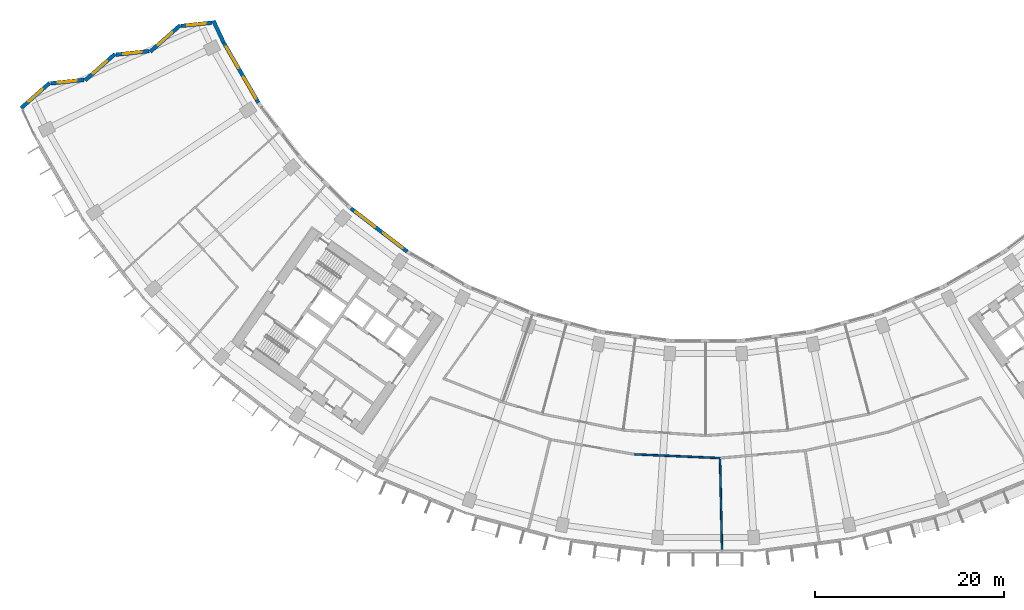
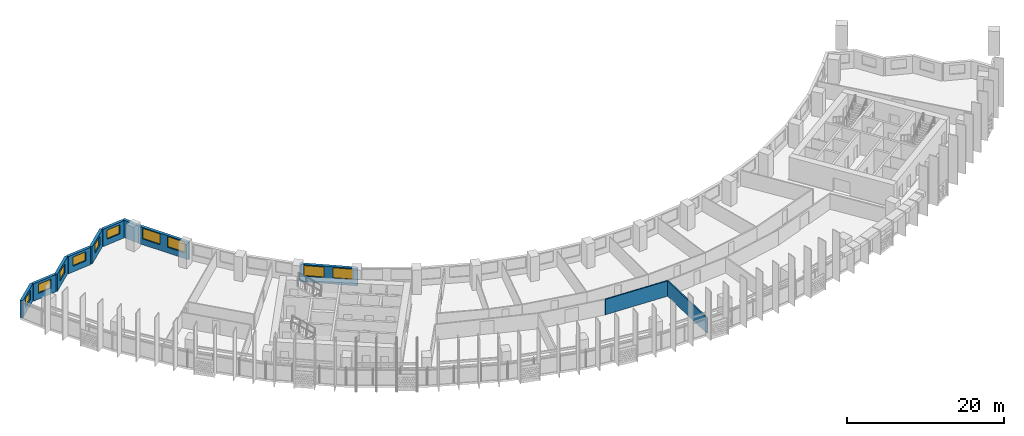
# One storey, part 5 of 29: 11 walls, 10 windows, 10 openings.
"""IFC4 building model written with IfcOpenShell, lengths in metres."""

from ifc_helpers import new_model, si_unit, direction, frame, frame_2d, origin, place, context, subcontext, project, spatial, rectangle, extrude, material, layer, layer_set, type_object, element, fill, save


model = new_model("IFC4")

# Units and contexts
model_context = context("Model", 3, precision=1e-05, world=origin(), true_north=direction((0.0, 1.0)))
body_context = subcontext(model_context, "Body", "Model", "MODEL_VIEW")
ifc_project = project(units=[si_unit("LENGTHUNIT", "METRE"), si_unit("AREAUNIT", "SQUARE_METRE"), si_unit("VOLUMEUNIT", "CUBIC_METRE"), si_unit("PLANEANGLEUNIT", "RADIAN"), si_unit("MASSUNIT", "GRAM", prefix="KILO")], contexts=[model_context])

# Site, building, storey
site_placement = place(None, origin())
site = spatial("IfcSite", under=ifc_project, at=site_placement, CompositionType="ELEMENT")
building_placement = place(site_placement, origin())
building = spatial("IfcBuilding", under=site, at=building_placement, Name="Qamariyya Broadcast Tower", CompositionType="ELEMENT")
storey_placement = place(building_placement, frame((0.0, 0.0, 132.89990234375)))
storey = spatial("IfcBuildingStorey", under=building, at=storey_placement, Name="L30", CompositionType="ELEMENT", Elevation=132.89990234375)

# Walls
ifc_material_1 = material(Name="Gypsum board partition")
ifc_layer_1 = layer(ifc_material_1, 0.179931640625)
ifc_layer_set_1 = layer_set([ifc_layer_1], Name="Studio acoustic partition 180 EI 60")
wall_type_1 = type_object("IfcWallType", Name="Studio acoustic partition 180 EI 60", PredefinedType="PARTITIONING", material=ifc_layer_set_1)
wall_1_placement = place(storey_placement, frame((-7.522705078125, -68.789306640625, 0.0), z_axis=(0.0, 0.0, 1.0), x_axis=(0.999048962102, -0.043602423354, 0.0)))
element("IfcWall", 1, at=wall_1_placement, inside=storey, type_object=wall_type_1, Name="Partition L30-019", PredefinedType="PARTITIONING", context=body_context, shape_type="SweptSolid", body=[
    extrude(rectangle(XDim=9.042724609375, YDim=0.179931640625, at=frame_2d((4.521484375, 0.0))), origin(), (0.0, 0.0, 1.0), 2.400146484375),
])
wall_2_placement = place(storey_placement, frame((1.724365234375, -78.93017578125, 0.0), z_axis=(0.0, 0.0, 1.0), x_axis=(-0.021838346282, 0.999761514878, 0.0)))
element("IfcWall", 2, at=wall_2_placement, inside=storey, type_object=wall_type_1, Name="Partition L30-024", PredefinedType="PARTITIONING", context=body_context, shape_type="SweptSolid", body=[
    extrude(rectangle(XDim=9.658935546875, YDim=0.179931640625, at=frame_2d((4.82958984375, 0.0))), origin(), (0.0, 0.0, 1.0), 2.400146484375),
])

# Wall, opening, window
ifc_material_2 = material(Name="Terracotta", Category="masonry")
ifc_layer_2 = layer(ifc_material_2, 0.39990234375)
ifc_layer_set_2 = layer_set([ifc_layer_2], Name="Terracotta clad wall 400")
wall_type_2 = type_object("IfcWallType", Name="Terracotta clad wall 400", PredefinedType="SOLIDWALL", material=ifc_layer_set_2)
wall_3_placement = place(storey_placement, frame((-52.25390625, -23.10888671875, 0.0), z_axis=(0.0, 0.0, 1.0), x_axis=(-0.994406582789, -0.105619828185, 0.0)))
wall_3 = element("IfcWall", 3, at=wall_3_placement, inside=storey, type_object=wall_type_2, Name="e-wl-L30-capW0", PredefinedType="SOLIDWALL", context=body_context, shape_type="SweptSolid", body=[
    extrude(rectangle(XDim=3.275390625, YDim=0.39990234375, at=frame_2d((1.6376953125, 0.0))), origin(), (0.0, 0.0, 1.0), 2.7001953125),
])
opening_1_placement = place(wall_3_placement, frame((0.6376953125, 0.0, 0.89990234375)))
opening_1 = element("IfcOpeningElement", 4, at=opening_1_placement, cuts=wall_3, Name="Opening W4", PredefinedType="OPENING", context=body_context, shape_type="SweptSolid", body=[
    extrude(rectangle(XDim=2.0, YDim=1.425048828125, at=frame_2d((1.0, 0.71240234375))), frame((0.0, 0.2099609375, 0.0), z_axis=(0.0, -1.0, 0.0), x_axis=(1.0, 0.0, 0.0)), (0.0, 0.0, 1.0), 0.419921875),
])
ifc_material_3 = material(Name="Clear low-e double glazed unit in aluminium frame", Category="aluminium")
window_type_1 = type_object("IfcWindowType", Name="Horn bay window 2000 x 1425", PartitioningType="SINGLE_PANEL", PredefinedType="WINDOW", material=ifc_material_3)
window_1_placement = place(opening_1_placement, origin())
window_1 = element("IfcWindow", 5, at=window_1_placement, inside=storey, type_object=window_type_1, Name="e-w-L30-capW0", OverallHeight=1.425048828125, OverallWidth=2.0, PartitioningType="SINGLE_PANEL", PredefinedType="WINDOW", context=body_context, shape_type="SweptSolid", body=[
    extrude(rectangle(XDim=2.0, YDim=1.425048828125, at=frame_2d((1.0, 0.71240234375))), frame((0.0, 0.030029296875, 0.0), z_axis=(0.0, -1.0, 0.0), x_axis=(1.0, 0.0, 0.0)), (0.0, 0.0, 1.0), 0.06005859375),
])
fill(opening_1, window_1)

wall_4_placement = place(storey_placement, frame((-55.6328125, -23.40087890625, 0.0), z_axis=(0.0, 0.0, 1.0), x_axis=(-0.750065415185, -0.661363646524, 0.0)))
wall_4 = element("IfcWall", 6, at=wall_4_placement, inside=storey, type_object=wall_type_2, Name="e-wl-L30-capW1", PredefinedType="SOLIDWALL", context=body_context, shape_type="SweptSolid", body=[
    extrude(rectangle(XDim=4.194580078125, YDim=0.39990234375, at=frame_2d((2.09716796875, 0.0))), origin(), (0.0, 0.0, 1.0), 2.7001953125),
])
opening_2_placement = place(wall_4_placement, frame((1.09716796875, 0.0, 0.89990234375)))
opening_2 = element("IfcOpeningElement", 7, at=opening_2_placement, cuts=wall_4, Name="Opening W4", PredefinedType="OPENING", context=body_context, shape_type="SweptSolid", body=[
    extrude(rectangle(XDim=2.0, YDim=1.425048828125, at=frame_2d((1.0, 0.71240234375))), frame((0.0, 0.2099609375, 0.0), z_axis=(0.0, -1.0, 0.0), x_axis=(1.0, 0.0, 0.0)), (0.0, 0.0, 1.0), 0.419921875),
])
window_2_placement = place(opening_2_placement, origin())
window_2 = element("IfcWindow", 8, at=window_2_placement, inside=storey, type_object=window_type_1, Name="e-w-L30-capW1", OverallHeight=1.425048828125, OverallWidth=2.0, PartitioningType="SINGLE_PANEL", PredefinedType="WINDOW", context=body_context, shape_type="SweptSolid", body=[
    extrude(rectangle(XDim=2.0, YDim=1.425048828125, at=frame_2d((1.0, 0.71240234375))), frame((0.0, 0.030029296875, 0.0), z_axis=(0.0, -1.0, 0.0), x_axis=(1.0, 0.0, 0.0)), (0.0, 0.0, 1.0), 0.06005859375),
])
fill(opening_2, window_2)

wall_5_placement = place(storey_placement, frame((-58.900634765625, -26.12109375, 0.0), z_axis=(0.0, 0.0, 1.0), x_axis=(-0.99439867511, -0.105694252157, 0.0)))
wall_5 = element("IfcWall", 9, at=wall_5_placement, inside=storey, type_object=wall_type_2, Name="e-wl-L30-capW2", PredefinedType="SOLIDWALL", context=body_context, shape_type="SweptSolid", body=[
    extrude(rectangle(XDim=3.52490234375, YDim=0.39990234375, at=frame_2d((1.762451171875, 0.0))), origin(), (0.0, 0.0, 1.0), 2.7001953125),
])
opening_3_placement = place(wall_5_placement, frame((0.762451171875, 0.0, 0.89990234375)))
opening_3 = element("IfcOpeningElement", 10, at=opening_3_placement, cuts=wall_5, Name="Opening W4", PredefinedType="OPENING", context=body_context, shape_type="SweptSolid", body=[
    extrude(rectangle(XDim=2.0, YDim=1.425048828125, at=frame_2d((1.0, 0.71240234375))), frame((0.0, 0.2099609375, 0.0), z_axis=(0.0, -1.0, 0.0), x_axis=(1.0, 0.0, 0.0)), (0.0, 0.0, 1.0), 0.419921875),
])
window_3_placement = place(opening_3_placement, origin())
window_3 = element("IfcWindow", 11, at=window_3_placement, inside=storey, type_object=window_type_1, Name="e-w-L30-capW2", OverallHeight=1.425048828125, OverallWidth=2.0, PartitioningType="SINGLE_PANEL", PredefinedType="WINDOW", context=body_context, shape_type="SweptSolid", body=[
    extrude(rectangle(XDim=2.0, YDim=1.425048828125, at=frame_2d((1.0, 0.71240234375))), frame((0.0, 0.030029296875, 0.0), z_axis=(0.0, -1.0, 0.0), x_axis=(1.0, 0.0, 0.0)), (0.0, 0.0, 1.0), 0.06005859375),
])
fill(opening_3, window_3)

wall_6_placement = place(storey_placement, frame((-62.52734375, -26.439697265625, 0.0), z_axis=(0.0, 0.0, 1.0), x_axis=(-0.749995844737, -0.661442539362, 0.0)))
wall_6 = element("IfcWall", 12, at=wall_6_placement, inside=storey, type_object=wall_type_2, Name="e-wl-L30-capW3", PredefinedType="SOLIDWALL", context=body_context, shape_type="SweptSolid", body=[
    extrude(rectangle(XDim=4.193359375, YDim=0.39990234375, at=frame_2d((2.0966796875, 0.0))), origin(), (0.0, 0.0, 1.0), 2.7001953125),
])
opening_4_placement = place(wall_6_placement, frame((1.0966796875, 0.0, 0.89990234375)))
opening_4 = element("IfcOpeningElement", 13, at=opening_4_placement, cuts=wall_6, Name="Opening W4", PredefinedType="OPENING", context=body_context, shape_type="SweptSolid", body=[
    extrude(rectangle(XDim=2.0, YDim=1.425048828125, at=frame_2d((1.0, 0.71240234375))), frame((0.0, 0.2099609375, 0.0), z_axis=(0.0, -1.0, 0.0), x_axis=(1.0, 0.0, 0.0)), (0.0, 0.0, 1.0), 0.419921875),
])
window_4_placement = place(opening_4_placement, origin())
window_4 = element("IfcWindow", 14, at=window_4_placement, inside=storey, type_object=window_type_1, Name="e-w-L30-capW3", OverallHeight=1.425048828125, OverallWidth=2.0, PartitioningType="SINGLE_PANEL", PredefinedType="WINDOW", context=body_context, shape_type="SweptSolid", body=[
    extrude(rectangle(XDim=2.0, YDim=1.425048828125, at=frame_2d((1.0, 0.71240234375))), frame((0.0, 0.030029296875, 0.0), z_axis=(0.0, -1.0, 0.0), x_axis=(1.0, 0.0, 0.0)), (0.0, 0.0, 1.0), 0.06005859375),
])
fill(opening_4, window_4)

wall_7_placement = place(storey_placement, frame((-65.794189453125, -29.159423828125, 0.0), z_axis=(0.0, 0.0, 1.0), x_axis=(-0.994386433158, -0.105809364197, 0.0)))
wall_7 = element("IfcWall", 15, at=wall_7_placement, inside=storey, type_object=wall_type_2, Name="e-wl-L30-capW4", PredefinedType="SOLIDWALL", context=body_context, shape_type="SweptSolid", body=[
    extrude(rectangle(XDim=3.525634765625, YDim=0.39990234375, at=frame_2d((1.7626953125, 0.0))), origin(), (0.0, 0.0, 1.0), 2.7001953125),
])
opening_5_placement = place(wall_7_placement, frame((0.762939453125, 0.0, 0.89990234375)))
opening_5 = element("IfcOpeningElement", 16, at=opening_5_placement, cuts=wall_7, Name="Opening W4", PredefinedType="OPENING", context=body_context, shape_type="SweptSolid", body=[
    extrude(rectangle(XDim=2.0, YDim=1.425048828125, at=frame_2d((1.0, 0.71240234375))), frame((0.0, 0.2099609375, 0.0), z_axis=(0.0, -1.0, 0.0), x_axis=(1.0, 0.0, 0.0)), (0.0, 0.0, 1.0), 0.419921875),
])
window_5_placement = place(opening_5_placement, origin())
window_5 = element("IfcWindow", 17, at=window_5_placement, inside=storey, type_object=window_type_1, Name="e-w-L30-capW4", OverallHeight=1.425048828125, OverallWidth=2.0, PartitioningType="SINGLE_PANEL", PredefinedType="WINDOW", context=body_context, shape_type="SweptSolid", body=[
    extrude(rectangle(XDim=2.0, YDim=1.425048828125, at=frame_2d((1.0, 0.71240234375))), frame((0.0, 0.030029296875, 0.0), z_axis=(0.0, -1.0, 0.0), x_axis=(1.0, 0.0, 0.0)), (0.0, 0.0, 1.0), 0.06005859375),
])
fill(opening_5, window_5)

wall_8_placement = place(storey_placement, frame((-69.421875, -29.478515625, 0.0), z_axis=(0.0, 0.0, 1.0), x_axis=(-0.74991773424, -0.661531096679, 0.0)))
wall_8 = element("IfcWall", 18, at=wall_8_placement, inside=storey, type_object=wall_type_2, Name="e-wl-L30-capW5", PredefinedType="SOLIDWALL", context=body_context, shape_type="SweptSolid", body=[
    extrude(rectangle(XDim=4.013427734375, YDim=0.39990234375, at=frame_2d((2.0068359375, 0.0))), origin(), (0.0, 0.0, 1.0), 2.7001953125),
])
opening_6_placement = place(wall_8_placement, frame((1.0068359375, 0.0, 0.89990234375)))
opening_6 = element("IfcOpeningElement", 19, at=opening_6_placement, cuts=wall_8, Name="Opening W4", PredefinedType="OPENING", context=body_context, shape_type="SweptSolid", body=[
    extrude(rectangle(XDim=2.0, YDim=1.425048828125, at=frame_2d((1.0, 0.71240234375))), frame((0.0, 0.2099609375, 0.0), z_axis=(0.0, -1.0, 0.0), x_axis=(1.0, 0.0, 0.0)), (0.0, 0.0, 1.0), 0.419921875),
])
window_6_placement = place(opening_6_placement, origin())
window_6 = element("IfcWindow", 20, at=window_6_placement, inside=storey, type_object=window_type_1, Name="e-w-L30-capW5", OverallHeight=1.425048828125, OverallWidth=2.0, PartitioningType="SINGLE_PANEL", PredefinedType="WINDOW", context=body_context, shape_type="SweptSolid", body=[
    extrude(rectangle(XDim=2.0, YDim=1.425048828125, at=frame_2d((1.0, 0.71240234375))), frame((0.0, 0.030029296875, 0.0), z_axis=(0.0, -1.0, 0.0), x_axis=(1.0, 0.0, 0.0)), (0.0, 0.0, 1.0), 0.06005859375),
])
fill(opening_6, window_6)

# Wall
wall_9_placement = place(storey_placement, frame((-51.02392578125, -25.183837890625, 0.0), z_axis=(0.0, 0.0, 1.0), x_axis=(-0.422880138501, 0.90618562583, 0.0)))
element("IfcWall", 21, at=wall_9_placement, inside=storey, type_object=wall_type_2, Name="e-wl-L30-in00", PredefinedType="SOLIDWALL", context=body_context, shape_type="SweptSolid", body=[
    extrude(rectangle(XDim=2.509033203125, YDim=0.39990234375, at=frame_2d((1.25439453125, 0.0))), origin(), (0.0, 0.0, 1.0), 2.7001953125),
])

# Wall, openings, windows
wall_10_placement = place(storey_placement, frame((-47.33642578125, -31.568359375, 0.0), z_axis=(0.0, 0.0, 1.0), x_axis=(-0.499980071345, 0.866036909293, 0.0)))
wall_10 = element("IfcWall", 22, at=wall_10_placement, inside=storey, type_object=wall_type_2, Name="e-wl-L30-in10", PredefinedType="SOLIDWALL", context=body_context, shape_type="SweptSolid", body=[
    extrude(rectangle(XDim=7.355712890625, YDim=0.39990234375, at=frame_2d((3.677734375, 0.0))), origin(), (0.0, 0.0, 1.0), 2.7001953125),
])
opening_7_placement = place(wall_10_placement, frame((4.224853515625, 0.0, 0.89990234375)))
opening_7 = element("IfcOpeningElement", 23, at=opening_7_placement, cuts=wall_10, Name="Opening W1", PredefinedType="OPENING", context=body_context, shape_type="SweptSolid", body=[
    extrude(rectangle(XDim=2.60009765625, YDim=1.64990234375, at=frame_2d((1.300048828125, 0.824951171875))), frame((0.0, 0.2099609375, 0.0), z_axis=(0.0, -1.0, 0.0), x_axis=(1.0, 0.0, 0.0)), (0.0, 0.0, 1.0), 0.419921875),
])
opening_8_placement = place(wall_10_placement, frame((0.5166015625, 0.0, 0.89990234375)))
opening_8 = element("IfcOpeningElement", 24, at=opening_8_placement, cuts=wall_10, Name="Opening W1", PredefinedType="OPENING", context=body_context, shape_type="SweptSolid", body=[
    extrude(rectangle(XDim=2.60009765625, YDim=1.64990234375, at=frame_2d((1.300048828125, 0.824951171875))), frame((0.0, 0.2099609375, 0.0), z_axis=(0.0, -1.0, 0.0), x_axis=(1.0, 0.0, 0.0)), (0.0, 0.0, 1.0), 0.419921875),
])
window_type_2 = type_object("IfcWindowType", Name="Ribbon window 2600 x 1650", PartitioningType="SINGLE_PANEL", PredefinedType="WINDOW", material=ifc_material_3)
window_7_placement = place(opening_7_placement, origin())
window_7 = element("IfcWindow", 25, at=window_7_placement, inside=storey, type_object=window_type_2, Name="e-w-L30-in01-0", OverallHeight=1.64990234375, OverallWidth=2.60009765625, PartitioningType="SINGLE_PANEL", PredefinedType="WINDOW", context=body_context, shape_type="SweptSolid", body=[
    extrude(rectangle(XDim=2.60009765625, YDim=1.64990234375, at=frame_2d((1.300048828125, 0.824951171875))), frame((0.0, 0.030029296875, 0.0), z_axis=(0.0, -1.0, 0.0), x_axis=(1.0, 0.0, 0.0)), (0.0, 0.0, 1.0), 0.06005859375),
])
fill(opening_7, window_7)
window_8_placement = place(opening_8_placement, origin())
window_8 = element("IfcWindow", 26, at=window_8_placement, inside=storey, type_object=window_type_2, Name="e-w-L30-in01-1", OverallHeight=1.64990234375, OverallWidth=2.60009765625, PartitioningType="SINGLE_PANEL", PredefinedType="WINDOW", context=body_context, shape_type="SweptSolid", body=[
    extrude(rectangle(XDim=2.60009765625, YDim=1.64990234375, at=frame_2d((1.300048828125, 0.824951171875))), frame((0.0, 0.030029296875, 0.0), z_axis=(0.0, -1.0, 0.0), x_axis=(1.0, 0.0, 0.0)), (0.0, 0.0, 1.0), 0.06005859375),
])
fill(opening_8, window_8)

wall_11_placement = place(storey_placement, frame((-31.59228515625, -47.326171875, 0.0), z_axis=(0.0, 0.0, 1.0), x_axis=(-0.793363487476, 0.608748204711, 0.0)))
wall_11 = element("IfcWall", 27, at=wall_11_placement, inside=storey, type_object=wall_type_2, Name="e-wl-L30-in40", PredefinedType="SOLIDWALL", context=body_context, shape_type="SweptSolid", body=[
    extrude(rectangle(XDim=7.492919921875, YDim=0.39990234375, at=frame_2d((3.74658203125, 0.0))), origin(), (0.0, 0.0, 1.0), 2.7001953125),
])
opening_9_placement = place(wall_11_placement, frame((4.300537109375, 0.0, 0.89990234375)))
opening_9 = element("IfcOpeningElement", 28, at=opening_9_placement, cuts=wall_11, Name="Opening W1", PredefinedType="OPENING", context=body_context, shape_type="SweptSolid", body=[
    extrude(rectangle(XDim=2.60009765625, YDim=1.64990234375, at=frame_2d((1.300048828125, 0.824951171875))), frame((0.0, 0.2099609375, 0.0), z_axis=(0.0, -1.0, 0.0), x_axis=(1.0, 0.0, 0.0)), (0.0, 0.0, 1.0), 0.419921875),
])
opening_10_placement = place(wall_11_placement, frame((0.59228515625, 0.0, 0.89990234375)))
opening_10 = element("IfcOpeningElement", 29, at=opening_10_placement, cuts=wall_11, Name="Opening W1", PredefinedType="OPENING", context=body_context, shape_type="SweptSolid", body=[
    extrude(rectangle(XDim=2.60009765625, YDim=1.64990234375, at=frame_2d((1.300048828125, 0.824951171875))), frame((0.0, 0.2099609375, 0.0), z_axis=(0.0, -1.0, 0.0), x_axis=(1.0, 0.0, 0.0)), (0.0, 0.0, 1.0), 0.419921875),
])
window_9_placement = place(opening_9_placement, origin())
window_9 = element("IfcWindow", 30, at=window_9_placement, inside=storey, type_object=window_type_2, Name="e-w-L30-in04-0", OverallHeight=1.64990234375, OverallWidth=2.60009765625, PartitioningType="SINGLE_PANEL", PredefinedType="WINDOW", context=body_context, shape_type="SweptSolid", body=[
    extrude(rectangle(XDim=2.60009765625, YDim=1.64990234375, at=frame_2d((1.300048828125, 0.824951171875))), frame((0.0, 0.030029296875, 0.0), z_axis=(0.0, -1.0, 0.0), x_axis=(1.0, 0.0, 0.0)), (0.0, 0.0, 1.0), 0.06005859375),
])
fill(opening_9, window_9)
window_10_placement = place(opening_10_placement, origin())
window_10 = element("IfcWindow", 31, at=window_10_placement, inside=storey, type_object=window_type_2, Name="e-w-L30-in04-1", OverallHeight=1.64990234375, OverallWidth=2.60009765625, PartitioningType="SINGLE_PANEL", PredefinedType="WINDOW", context=body_context, shape_type="SweptSolid", body=[
    extrude(rectangle(XDim=2.60009765625, YDim=1.64990234375, at=frame_2d((1.300048828125, 0.824951171875))), frame((0.0, 0.030029296875, 0.0), z_axis=(0.0, -1.0, 0.0), x_axis=(1.0, 0.0, 0.0)), (0.0, 0.0, 1.0), 0.06005859375),
])
fill(opening_10, window_10)

save(model, "model.ifc")
